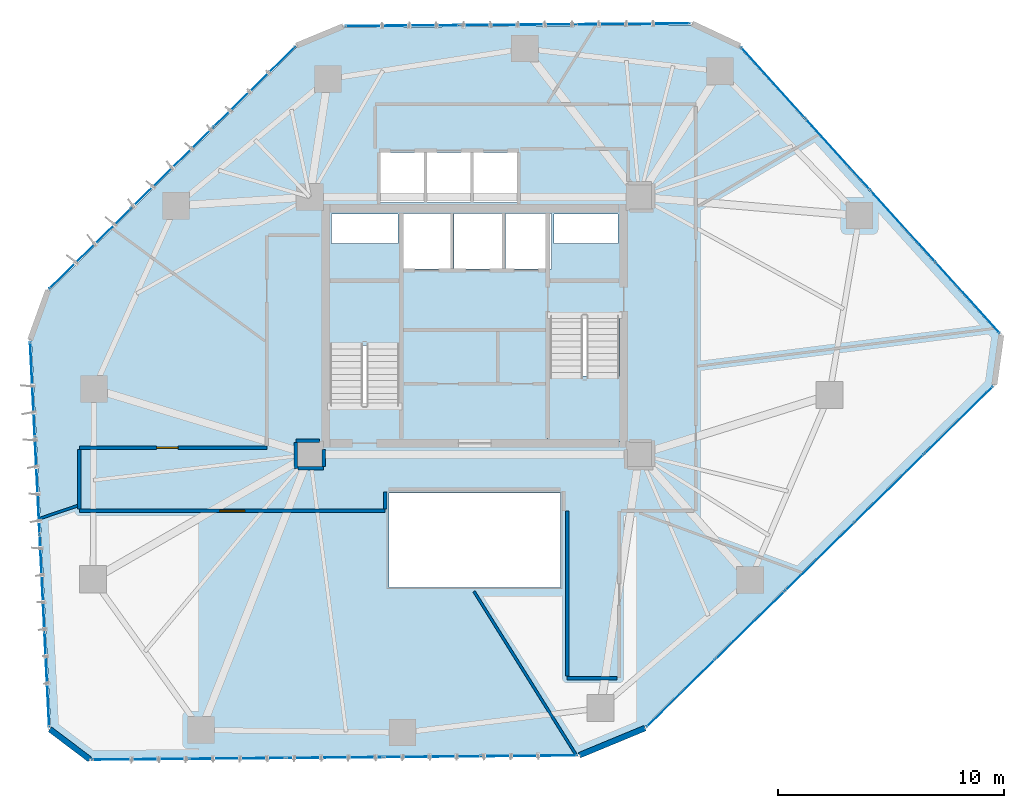
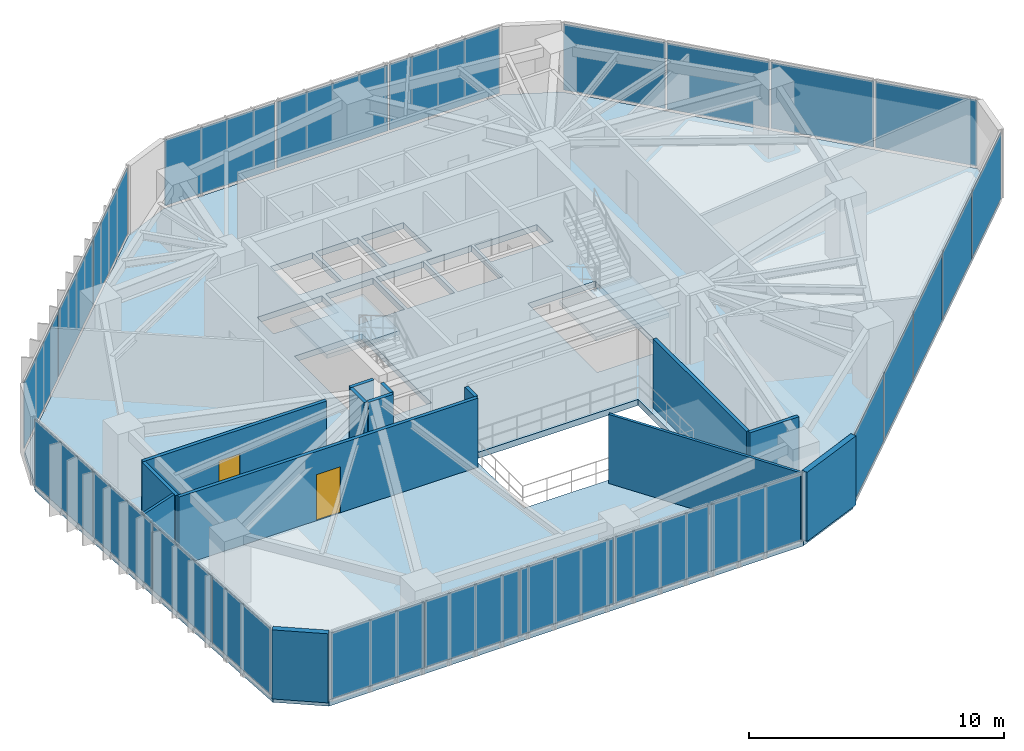
# One storey, part 17 of 21: 24 plates, 14 walls, 3 slabs, 2 doors, 2 openings, 8 elements without a shape of their own.
"""IFC4 building model written with IfcOpenShell, lengths in metres."""

import ifcopenshell
import ifcopenshell.guid

model = None  # the IFC model being written
_history = None  # IfcOwnerHistory: only IFC2X3 demands one
_inside = {}  # id of a spatial element -> (the spatial element, [elements in it])
_under = {}  # id of a project, library or spatial element -> (it, [spatial elements below it])
_declared = {}  # id of a project -> (the project, [libraries it declares])
_typed = {}  # id of a type object -> (the type object, [elements of that type])
_made_of = {}  # id of a material, layer set ... -> (it, [elements and type objects made of it])


def new_model(schema):
    """Start an empty IFC model of exactly this schema.

    Asked for "IFC4X3", IfcOpenShell would pick the latest addendum, in which some entities
    have other attributes; the version numbers below select the first issue.
    IFC2X3 requires an IfcOwnerHistory on every rooted entity: one is made here for all.
    """
    global model, _history
    if schema == "IFC4X3":
        model = ifcopenshell.file(schema_version=(4, 3, 0, 0))
    else:
        model = ifcopenshell.file(schema=schema)
    _inside.clear()
    _under.clear()
    _declared.clear()
    _typed.clear()
    _made_of.clear()
    _history = None
    if model.schema == "IFC2X3":
        org = make("IfcOrganization", Name="unknown")
        user = make(
            "IfcPersonAndOrganization",
            ThePerson=make("IfcPerson", FamilyName="unknown"),
            TheOrganization=org,
        )
        app = make(
            "IfcApplication",
            ApplicationDeveloper=org,
            Version="unknown",
            ApplicationFullName="unknown",
            ApplicationIdentifier="unknown",
        )
        _history = make(
            "IfcOwnerHistory",
            OwningUser=user,
            OwningApplication=app,
            ChangeAction="ADDED",
            CreationDate=0,
        )
    return model


def make(cls, **values):
    """One entity of the class cls with the attributes given. An attribute that is None is left unset."""
    return model.create_entity(
        cls, **{name: value for name, value in values.items() if value is not None}
    )


def rooted(cls, **values):
    """An entity with a GlobalId (a new one), such as an element, a storey or a relation."""
    return make(cls, GlobalId=ifcopenshell.guid.new(), OwnerHistory=_history, **values)


def si_unit(unit_type, name, prefix=None):
    """IfcSIUnit, for example si_unit("LENGTHUNIT", "METRE", prefix="MILLI")."""
    return make("IfcSIUnit", UnitType=unit_type, Prefix=prefix, Name=name)


def assignment(units):
    """IfcUnitAssignment: the units of a project."""
    return None if units is None else make("IfcUnitAssignment", Units=units)


def point(xyz):
    """IfcCartesianPoint."""
    return None if xyz is None else make("IfcCartesianPoint", Coordinates=xyz)


def direction(xyz):
    """IfcDirection."""
    return None if xyz is None else make("IfcDirection", DirectionRatios=xyz)


def frame(location, z_axis=None, x_axis=None):
    """IfcAxis2Placement3D, a coordinate frame: its origin and axes. An axis left out is left unset."""
    return make(
        "IfcAxis2Placement3D",
        Location=point(location),
        Axis=direction(z_axis),
        RefDirection=direction(x_axis),
    )


def frame_2d(location, x_axis=None):
    """IfcAxis2Placement2D, a coordinate frame in the plane: its origin and x axis."""
    return make(
        "IfcAxis2Placement2D", Location=point(location), RefDirection=direction(x_axis)
    )


def origin():
    """The frame at (0, 0, 0) with its axes left unset."""
    return frame((0.0, 0.0, 0.0))


def origin_2d():
    """The frame at (0, 0) in the plane with its x axis left unset."""
    return frame_2d((0.0, 0.0))


def place(relative_to, where):
    """IfcLocalPlacement: puts the frame where relative to a parent placement (None: the world)."""
    return make(
        "IfcLocalPlacement", PlacementRelTo=relative_to, RelativePlacement=where
    )


def context(
    kind, dimensions, precision=None, world=None, true_north=None, identifier=None
):
    """IfcGeometricRepresentationContext, for example the 3D "Model" context."""
    return make(
        "IfcGeometricRepresentationContext",
        ContextIdentifier=identifier,
        ContextType=kind,
        CoordinateSpaceDimension=dimensions,
        Precision=precision,
        WorldCoordinateSystem=world,
        TrueNorth=true_north,
    )


def subcontext(parent, identifier, kind, view, scale=None):
    """IfcGeometricRepresentationSubContext, for example "Body" below "Model"."""
    return make(
        "IfcGeometricRepresentationSubContext",
        ContextIdentifier=identifier,
        ContextType=kind,
        ParentContext=parent,
        TargetScale=scale,
        TargetView=view,
    )


def project(units=None, contexts=None):
    """IfcProject with its units and contexts."""
    return rooted(
        "IfcProject",
        Name="project",
        RepresentationContexts=contexts,
        UnitsInContext=assignment(units),
    )


def spatial(cls, under=None, at=None, **own):
    """A site, building, storey or space (cls), placed at a placement, below another one or the project."""
    s = rooted(cls, ObjectPlacement=at, **own)
    if under is not None:
        _under.setdefault(under.id(), (under, []))[1].append(s)
    return s


def polyline(points):
    """IfcPolyline through the points."""
    return make("IfcPolyline", Points=[point(p) for p in points])


def profile(cls, at=None, kind="AREA", **sizes):
    """A parametric profile (cls). Its sizes go by their IFC names, for example OverallWidth=200.0."""
    return make(cls, ProfileType=kind, Position=at, **sizes)


def rectangle(**sizes):
    """IfcRectangleProfileDef."""
    return profile("IfcRectangleProfileDef", **sizes)


def outline(outer, holes=None, kind="AREA"):
    """IfcArbitraryClosedProfileDef: a profile drawn as a closed curve; with holes, ...WithVoids."""
    if holes is None:
        return make("IfcArbitraryClosedProfileDef", ProfileType=kind, OuterCurve=outer)
    return make(
        "IfcArbitraryProfileDefWithVoids",
        ProfileType=kind,
        OuterCurve=outer,
        InnerCurves=holes,
    )


def extrude(swept, where, along, depth):
    """IfcExtrudedAreaSolid: the profile swept, set in the frame where, extruded along a direction by depth."""
    return make(
        "IfcExtrudedAreaSolid",
        SweptArea=swept,
        Position=where,
        ExtrudedDirection=direction(along),
        Depth=depth,
    )


def shape(context_of_items, identifier, shape_type, items):
    """IfcShapeRepresentation: the items that make up one representation, for example the "Body"."""
    return make(
        "IfcShapeRepresentation",
        ContextOfItems=context_of_items,
        RepresentationIdentifier=identifier,
        RepresentationType=shape_type,
        Items=items,
    )


def source(mapping_origin, context_of_items, identifier, shape_type, items):
    """IfcRepresentationMap: a shape defined once, which mapped items show again and again."""
    return make(
        "IfcRepresentationMap",
        MappingOrigin=mapping_origin,
        MappedRepresentation=shape(context_of_items, identifier, shape_type, items),
    )


def transform(
    local_origin,
    x_axis=None,
    y_axis=None,
    z_axis=None,
    scale=None,
    scale2=None,
    scale3=None,
    uniform=True,
):
    """IfcCartesianTransformationOperator3D, or its non-uniform kind. x_axis, y_axis, z_axis: its Axis1, 2, 3."""
    if uniform:
        return make(
            "IfcCartesianTransformationOperator3D",
            Axis1=direction(x_axis),
            Axis2=direction(y_axis),
            LocalOrigin=point(local_origin),
            Scale=scale,
            Axis3=direction(z_axis),
        )
    return make(
        "IfcCartesianTransformationOperator3DnonUniform",
        Axis1=direction(x_axis),
        Axis2=direction(y_axis),
        LocalOrigin=point(local_origin),
        Scale=scale,
        Axis3=direction(z_axis),
        Scale2=scale2,
        Scale3=scale3,
    )


def mapped(mapping_source, mapping_target):
    """IfcMappedItem: shows the shape of a source again, moved by a transform."""
    return make(
        "IfcMappedItem", MappingSource=mapping_source, MappingTarget=mapping_target
    )


def material(Name=None, Category=None):
    """IfcMaterial."""
    return make("IfcMaterial", Name=Name, Category=Category)


def layer(
    of_material, thickness, ventilated=None, Name=None, Category=None, Priority=None
):
    """IfcMaterialLayer: one layer of a wall or slab, of a material (None: an air gap)."""
    return make(
        "IfcMaterialLayer",
        Material=of_material,
        LayerThickness=thickness,
        IsVentilated=ventilated,
        Name=Name,
        Category=Category,
        Priority=Priority,
    )


def layer_set(layers, Name=None):
    """IfcMaterialLayerSet."""
    return make("IfcMaterialLayerSet", MaterialLayers=layers, LayerSetName=Name)


def made_of(thing, what):
    """Note that an element or type object is made of a material, layer set ...; save() writes the relation."""
    if what is not None:
        _made_of.setdefault(what.id(), (what, []))[1].append(thing)
    return thing


def type_object(cls, material=None, **own):
    """A type object (cls), such as IfcWallType, which elements share."""
    return made_of(rooted(cls, **own), material)


def type_shapes(of_type, sources):
    """Give a type object the sources (RepresentationMaps) that its elements show as mapped items."""
    of_type.RepresentationMaps = sources


def element(
    cls,
    number,
    at=None,
    inside=None,
    cuts=None,
    type_object=None,
    material=None,
    context=None,
    identifier="Body",
    shape_type=None,
    held_by="IfcProductDefinitionShape",
    body=None,
    shapes=None,
    **own,
):
    """One element of the class cls, such as IfcWall. Its Tag is "e" and its number.

    at: its placement. inside: the storey or other place that contains it. cuts: it is an
    opening in that element (IfcRelVoidsElement). A single representation is given by context,
    identifier, shape_type and body (its items); several are given by shapes. held_by: the class
    of the entity that holds the representations. save() writes the other relations.
    """
    e = rooted(cls, Tag="e%d" % number, ObjectPlacement=at, **own)
    if body is not None:
        shapes = [shape(context, identifier, shape_type, body)]
    if shapes is not None:
        e.Representation = make(held_by, Representations=shapes)
    if inside is not None:
        _inside.setdefault(inside.id(), (inside, []))[1].append(e)
    if cuts is not None:
        rooted(
            "IfcRelVoidsElement", RelatingBuildingElement=cuts, RelatedOpeningElement=e
        )
    if type_object is not None:
        _typed.setdefault(type_object.id(), (type_object, []))[1].append(e)
    return made_of(e, material)


def fill(opening, filler):
    """IfcRelFillsElement: the door or window that sits in an opening."""
    return rooted(
        "IfcRelFillsElement",
        RelatingOpeningElement=opening,
        RelatedBuildingElement=filler,
    )


def aggregate(whole, parts):
    """IfcRelAggregates: a whole, such as a stair, and the parts it consists of."""
    return rooted("IfcRelAggregates", RelatingObject=whole, RelatedObjects=parts)


def save(model, path):
    """Write the relations noted so far, then the file.

    IfcRelAggregates (storeys below a building ...), IfcRelContainedInSpatialStructure (elements
    in a storey), IfcRelDefinesByType, IfcRelAssociatesMaterial and IfcRelDeclares: one each for
    every whole, place, type object, material and project.
    """
    for whole, parts in _under.values():
        aggregate(whole, parts)
    for where, things in _inside.values():
        rooted(
            "IfcRelContainedInSpatialStructure",
            RelatedElements=things,
            RelatingStructure=where,
        )
    for kind, things in _typed.values():
        rooted("IfcRelDefinesByType", RelatedObjects=things, RelatingType=kind)
    for what, things in _made_of.values():
        rooted("IfcRelAssociatesMaterial", RelatedObjects=things, RelatingMaterial=what)
    for by, libraries in _declared.values():
        rooted("IfcRelDeclares", RelatingContext=by, RelatedDefinitions=libraries)
    model.write(path)


model = new_model("IFC4")

# Units and contexts
model_context = context("Model", 3, precision=1e-05, world=origin(), true_north=direction((0.0, 1.0)))
body_context = subcontext(model_context, "Body", "Model", "MODEL_VIEW")
ifc_project = project(units=[si_unit("LENGTHUNIT", "METRE"), si_unit("AREAUNIT", "SQUARE_METRE"), si_unit("VOLUMEUNIT", "CUBIC_METRE"), si_unit("PLANEANGLEUNIT", "RADIAN"), si_unit("MASSUNIT", "GRAM", prefix="KILO")], contexts=[model_context])

# Site, building, storey
site_placement = place(None, origin())
site = spatial("IfcSite", under=ifc_project, at=site_placement, CompositionType="ELEMENT")
building_placement = place(site_placement, origin())
building = spatial("IfcBuilding", under=site, at=building_placement, Name="Talar Marvaseh", CompositionType="ELEMENT")
storey_placement = place(building_placement, frame((0.0, 0.0, 93.0)))
storey = spatial("IfcBuildingStorey", under=building, at=storey_placement, Name="L23", CompositionType="ELEMENT", Elevation=93.0)

# Stair, slab
ifc_material_1 = material(Name="Concrete C40/50", Category="concrete")
stair_type = type_object("IfcStairType", Name="Reinforced Concrete Half-Turn Exit Stair Type B", PredefinedType="HALF_TURN_STAIR", material=ifc_material_1)
stair_1_placement = place(storey_placement, origin())
stair_1 = element("IfcStair", 1, at=stair_1_placement, inside=storey, type_object=stair_type, Name="L23 Tower West Core Exit Stair", PredefinedType="HALF_TURN_STAIR")
ifc_layer_1 = layer(ifc_material_1, 0.199951171875)
ifc_layer_set_1 = layer_set([ifc_layer_1], Name="Concrete C40/50")
slab_type_1 = type_object("IfcSlabType", Name="Reinforced Concrete Stair Half-Landing Slab 200", PredefinedType="LANDING", material=ifc_layer_set_1)
slab_1_placement = place(storey_placement, frame((0.0, 0.0, 1.60009765625)))
slab_1 = element("IfcSlab", 2, at=slab_1_placement, type_object=slab_type_1, Name="ST-1 landing 1", PredefinedType="LANDING", context=body_context, shape_type="SweptSolid", body=[
    extrude(outline(polyline([(22.780029296875, 30.330078125), (22.780029296875, 33.219970703125), (19.47998046875, 33.219970703125), (19.47998046875, 30.330078125), (22.780029296875, 30.330078125)])), origin(), (0.0, 0.0, 1.0), 0.199951171875),
])
aggregate(stair_1, [slab_1])

stair_2_placement = place(storey_placement, origin())
stair_2 = element("IfcStair", 3, at=stair_2_placement, inside=storey, type_object=stair_type, Name="L23 Tower East Core Exit Stair", PredefinedType="HALF_TURN_STAIR")
slab_2_placement = place(storey_placement, frame((0.0, 0.0, 1.60009765625)))
slab_2 = element("IfcSlab", 4, at=slab_2_placement, type_object=slab_type_1, Name="ST-2 landing 1", PredefinedType="LANDING", context=body_context, shape_type="SweptSolid", body=[
    extrude(outline(polyline([(29.219970703125, 28.969970703125), (29.219970703125, 26.080078125), (32.52001953125, 26.080078125), (32.52001953125, 28.969970703125), (29.219970703125, 28.969970703125)])), origin(), (0.0, 0.0, 1.0), 0.199951171875),
])
aggregate(stair_2, [slab_2])

# Slab
ifc_layer_2 = layer(ifc_material_1, 0.2900390625)
ifc_layer_set_2 = layer_set([ifc_layer_2], Name="Concrete C40/50")
slab_type_2 = type_object("IfcSlabType", Name="Structural Suspended Floor Slab 290", PredefinedType="FLOOR", material=ifc_layer_set_2)
slab_3_placement = place(storey_placement, frame((0.0, 0.0, -0.2900390625)))
element("IfcSlab", 5, at=slab_3_placement, inside=storey, type_object=slab_type_2, Name="L23 Tower Floor Slab", PredefinedType="FLOOR", context=body_context, shape_type="SweptSolid", body=[
    extrude(outline(polyline([(8.9990234375, 12.041748046875), (7.230712890625, 13.3779296875), (6.376953125, 30.54833984375), (7.172607421875, 32.749755859375), (18.136962890625, 43.5498046875), (20.211181640625, 44.408935546875), (35.600830078125, 44.525146484375), (37.719970703125, 43.53125), (49.2578125, 30.7861328125), (48.9521484375, 28.5908203125), (33.531005859375, 13.441162109375), (30.615966796875, 12.23388671875), (8.9990234375, 12.041748046875)]), holes=[polyline([(22.659912109375, 27.64990234375), (22.659912109375, 33.10009765625), (19.60009765625, 33.10009765625), (19.60009765625, 27.64990234375), (22.659912109375, 27.64990234375)]), polyline([(29.340087890625, 31.64990234375), (29.340087890625, 26.199951171875), (32.39990234375, 26.199951171875), (32.39990234375, 31.64990234375), (29.340087890625, 31.64990234375)]), polyline([(22.800048828125, 33.719970703125), (24.93994140625, 33.719970703125), (24.93994140625, 36.179931640625), (22.800048828125, 36.179931640625), (22.800048828125, 33.719970703125)]), polyline([(25.080078125, 33.719970703125), (27.219970703125, 33.719970703125), (27.219970703125, 36.179931640625), (25.080078125, 36.179931640625), (25.080078125, 33.719970703125)]), polyline([(27.360107421875, 33.719970703125), (29.39990234375, 33.719970703125), (29.39990234375, 36.179931640625), (27.360107421875, 36.179931640625), (27.360107421875, 33.719970703125)]), polyline([(21.840087890625, 36.659912109375), (23.760009765625, 36.659912109375), (23.760009765625, 38.8798828125), (21.840087890625, 38.8798828125), (21.840087890625, 36.659912109375)]), polyline([(23.89990234375, 36.659912109375), (25.820068359375, 36.659912109375), (25.820068359375, 38.8798828125), (23.89990234375, 38.8798828125), (23.89990234375, 36.659912109375)]), polyline([(25.9599609375, 36.659912109375), (27.8798828125, 36.659912109375), (27.8798828125, 38.8798828125), (25.9599609375, 38.8798828125), (25.9599609375, 36.659912109375)]), polyline([(19.659912109375, 34.840087890625), (22.60009765625, 34.840087890625), (22.60009765625, 36.139892578125), (19.659912109375, 36.139892578125), (19.659912109375, 34.840087890625)]), polyline([(29.52001953125, 34.840087890625), (32.340087890625, 34.840087890625), (32.340087890625, 36.139892578125), (29.52001953125, 36.139892578125), (29.52001953125, 34.840087890625)]), polyline([(22.199951171875, 19.60009765625), (29.800048828125, 19.60009765625), (29.800048828125, 23.800048828125), (22.199951171875, 23.800048828125), (22.199951171875, 19.60009765625)])]), origin(), (0.0, 0.0, 1.0), 0.2900390625),
])

# Curtain wall, plates
ifc_material_2 = material(Name="Architectural Aluminium", Category="aluminium")
ifc_layer_3 = layer(ifc_material_2, 0.199951171875)
ifc_layer_set_3 = layer_set([ifc_layer_3], Name="Architectural Aluminium")
curtain_wall_type = type_object("IfcCurtainWallType", Name="Unitised Acoustic Library Curtain Wall Z2", PredefinedType="NOTDEFINED", material=ifc_layer_set_3)
curtain_wall_1_placement = place(storey_placement, origin())
curtain_wall_1 = element("IfcCurtainWall", 6, at=curtain_wall_1_placement, inside=storey, type_object=curtain_wall_type, Name="L23 Unitised Acoustic Library Curtain Wall Z2", PredefinedType="NOTDEFINED")
ifc_material_3 = material(Name="Laminated Low-E Solar Glass", Category="glass")
ifc_layer_4 = layer(ifc_material_3, 0.028076171875)
ifc_layer_set_4 = layer_set([ifc_layer_4], Name="Laminated Low-E Solar Glass")
plate_type = type_object("IfcPlateType", Name="Double-Glazed Low-E Vision Curtain Panel 28", PredefinedType="CURTAIN_PANEL", material=ifc_layer_set_4)
shared_shape_1 = source(origin(), body_context, "Body", "SweptSolid", [
    extrude(rectangle(XDim=4.185302734375, YDim=0.028076171875, at=origin_2d()), origin(), (0.0, 0.0, 1.0), 3.159912109375),
])
plate_1_placement = place(storey_placement, frame((7.06298828125, 15.5400390625, 0.0751953125), z_axis=(0.0, 0.0, 1.0), x_axis=(-0.049657944832, 0.998766283229, 0.0)))
plate_1 = element("IfcPlate", 7, at=plate_1_placement, type_object=plate_type, Name="CW-Z2 panel 1.1", PredefinedType="CURTAIN_PANEL", context=body_context, shape_type="MappedRepresentation", body=[
    mapped(shared_shape_1, transform((0.0, 0.0, 0.0), x_axis=(1.0, 0.0, 0.0), y_axis=(0.0, 1.0, 0.0), z_axis=(0.0, 0.0, 1.0), scale=1.0)),
])
plate_2_placement = place(storey_placement, frame((6.424560546875, 28.38037109375, 0.0751953125), z_axis=(0.0, 0.0, 1.0), x_axis=(-0.049657944832, 0.998766283229, 0.0)))
plate_2 = element("IfcPlate", 8, at=plate_2_placement, type_object=plate_type, Name="CW-Z2 panel 4.1", PredefinedType="CURTAIN_PANEL", context=body_context, shape_type="MappedRepresentation", body=[
    mapped(shared_shape_1, transform((0.0, 0.0, 0.0), x_axis=(1.0, 0.0, 0.0), y_axis=(0.0, 1.0, 0.0), z_axis=(0.0, 0.0, 1.0), scale=1.0)),
])

curtain_wall_2_placement = place(storey_placement, origin())
curtain_wall_2 = element("IfcCurtainWall", 9, at=curtain_wall_2_placement, inside=storey, type_object=curtain_wall_type, Name="L23 Unitised Acoustic Library Curtain Wall Z2", PredefinedType="NOTDEFINED")
plate_3_placement = place(storey_placement, frame((39.21923828125, 41.96435546875, 0.0751953125), z_axis=(0.0, 0.0, 1.0), x_axis=(0.67112150454, -0.741347372116, 0.0)))
plate_3 = element("IfcPlate", 10, at=plate_3_placement, type_object=plate_type, Name="CW-Z2 panel 1.1", PredefinedType="CURTAIN_PANEL", context=body_context, shape_type="MappedRepresentation", body=[
    mapped(shared_shape_1, transform((0.0, 0.0, 0.0), x_axis=(1.0, 0.0, 0.0), y_axis=(0.0, 1.0, 0.0), z_axis=(0.0, 0.0, 1.0), scale=1.0)),
])
plate_4_placement = place(storey_placement, frame((47.847412109375, 32.43359375, 0.0751953125), z_axis=(0.0, 0.0, 1.0), x_axis=(0.67112150454, -0.741347372116, 0.0)))
plate_4 = element("IfcPlate", 11, at=plate_4_placement, type_object=plate_type, Name="CW-Z2 panel 4.1", PredefinedType="CURTAIN_PANEL", context=body_context, shape_type="MappedRepresentation", body=[
    mapped(shared_shape_1, transform((0.0, 0.0, 0.0), x_axis=(1.0, 0.0, 0.0), y_axis=(0.0, 1.0, 0.0), z_axis=(0.0, 0.0, 1.0), scale=1.0)),
])

# Plate
shared_shape_2 = source(origin(), body_context, "Body", "SweptSolid", [
    extrude(rectangle(XDim=4.222900390625, YDim=0.028076171875, at=origin_2d()), origin(), (0.0, 0.0, 1.0), 3.159912109375),
])
plate_5_placement = place(storey_placement, frame((6.8505859375, 19.81396484375, 0.0751953125), z_axis=(0.0, 0.0, 1.0), x_axis=(-0.049657944832, 0.998766283229, 0.0)))
plate_5 = element("IfcPlate", 12, at=plate_5_placement, type_object=plate_type, Name="CW-Z2 panel 2.1", PredefinedType="CURTAIN_PANEL", context=body_context, shape_type="MappedRepresentation", body=[
    mapped(shared_shape_2, transform((0.0, 0.0, 0.0), x_axis=(1.0, 0.0, 0.0), y_axis=(0.0, 1.0, 0.0), z_axis=(0.0, 0.0, 1.0), scale=1.0)),
])

plate_6_placement = place(storey_placement, frame((6.63720703125, 24.1064453125, 0.0751953125), z_axis=(0.0, 0.0, 1.0), x_axis=(-0.049657944832, 0.998766283229, 0.0)))
plate_6 = element("IfcPlate", 13, at=plate_6_placement, type_object=plate_type, Name="CW-Z2 panel 3.1", PredefinedType="CURTAIN_PANEL", context=body_context, shape_type="MappedRepresentation", body=[
    mapped(shared_shape_2, transform((0.0, 0.0, 0.0), x_axis=(1.0, 0.0, 0.0), y_axis=(0.0, 1.0, 0.0), z_axis=(0.0, 0.0, 1.0), scale=1.0)),
])

aggregate(curtain_wall_1, [plate_1, plate_5, plate_6, plate_2])

plate_7_placement = place(storey_placement, frame((42.091064453125, 38.792236328125, 0.0751953125), z_axis=(0.0, 0.0, 1.0), x_axis=(0.67112150454, -0.741347372116, 0.0)))
plate_7 = element("IfcPlate", 14, at=plate_7_placement, type_object=plate_type, Name="CW-Z2 panel 2.1", PredefinedType="CURTAIN_PANEL", context=body_context, shape_type="MappedRepresentation", body=[
    mapped(shared_shape_2, transform((0.0, 0.0, 0.0), x_axis=(1.0, 0.0, 0.0), y_axis=(0.0, 1.0, 0.0), z_axis=(0.0, 0.0, 1.0), scale=1.0)),
])

plate_8_placement = place(storey_placement, frame((44.9755859375, 35.60595703125, 0.0751953125), z_axis=(0.0, 0.0, 1.0), x_axis=(0.67112150454, -0.741347372116, 0.0)))
plate_8 = element("IfcPlate", 15, at=plate_8_placement, type_object=plate_type, Name="CW-Z2 panel 3.1", PredefinedType="CURTAIN_PANEL", context=body_context, shape_type="MappedRepresentation", body=[
    mapped(shared_shape_2, transform((0.0, 0.0, 0.0), x_axis=(1.0, 0.0, 0.0), y_axis=(0.0, 1.0, 0.0), z_axis=(0.0, 0.0, 1.0), scale=1.0)),
])

aggregate(curtain_wall_2, [plate_3, plate_7, plate_8, plate_4])

# Curtain wall, plates
curtain_wall_3_placement = place(storey_placement, origin())
curtain_wall_3 = element("IfcCurtainWall", 16, at=curtain_wall_3_placement, inside=storey, type_object=curtain_wall_type, Name="L23 Unitised Acoustic Library Curtain Wall Z2", PredefinedType="NOTDEFINED")
shared_shape_3 = source(origin(), body_context, "Body", "SweptSolid", [
    extrude(rectangle(XDim=5.017578125, YDim=0.028076171875, at=origin_2d()), origin(), (0.0, 0.0, 1.0), 3.159912109375),
])
plate_9_placement = place(storey_placement, frame((8.971435546875, 34.605712890625, 0.0751953125), z_axis=(0.0, 0.0, 1.0), x_axis=(0.71241802456, 0.701755340758, 0.0)))
plate_9 = element("IfcPlate", 17, at=plate_9_placement, type_object=plate_type, Name="CW-Z2 panel 1.1", PredefinedType="CURTAIN_PANEL", context=body_context, shape_type="MappedRepresentation", body=[
    mapped(shared_shape_3, transform((0.0, 0.0, 0.0), x_axis=(1.0, 0.0, 0.0), y_axis=(0.0, 1.0, 0.0), z_axis=(0.0, 0.0, 1.0), scale=1.0)),
])
plate_10_placement = place(storey_placement, frame((16.254150390625, 41.779541015625, 0.0751953125), z_axis=(0.0, 0.0, 1.0), x_axis=(0.71241802456, 0.701755340758, 0.0)))
plate_10 = element("IfcPlate", 18, at=plate_10_placement, type_object=plate_type, Name="CW-Z2 panel 3.1", PredefinedType="CURTAIN_PANEL", context=body_context, shape_type="MappedRepresentation", body=[
    mapped(shared_shape_3, transform((0.0, 0.0, 0.0), x_axis=(1.0, 0.0, 0.0), y_axis=(0.0, 1.0, 0.0), z_axis=(0.0, 0.0, 1.0), scale=1.0)),
])

curtain_wall_4_placement = place(storey_placement, origin())
curtain_wall_4 = element("IfcCurtainWall", 19, at=curtain_wall_4_placement, inside=storey, type_object=curtain_wall_type, Name="L23 Unitised Acoustic Library Curtain Wall Z2", PredefinedType="NOTDEFINED")
plate_11_placement = place(storey_placement, frame((22.794189453125, 44.488525390625, 0.0751953125), z_axis=(0.0, 0.0, 1.0), x_axis=(0.999971545196, 0.007543792038, 0.0)))
plate_11 = element("IfcPlate", 20, at=plate_11_placement, type_object=plate_type, Name="CW-Z2 panel 1.1", PredefinedType="CURTAIN_PANEL", context=body_context, shape_type="MappedRepresentation", body=[
    mapped(shared_shape_3, transform((0.0, 0.0, 0.0), x_axis=(1.0, 0.0, 0.0), y_axis=(0.0, 1.0, 0.0), z_axis=(0.0, 0.0, 1.0), scale=1.0)),
])
plate_12_placement = place(storey_placement, frame((33.0166015625, 44.565673828125, 0.0751953125), z_axis=(0.0, 0.0, 1.0), x_axis=(0.999971545196, 0.007543792038, 0.0)))
plate_12 = element("IfcPlate", 21, at=plate_12_placement, type_object=plate_type, Name="CW-Z2 panel 3.1", PredefinedType="CURTAIN_PANEL", context=body_context, shape_type="MappedRepresentation", body=[
    mapped(shared_shape_3, transform((0.0, 0.0, 0.0), x_axis=(1.0, 0.0, 0.0), y_axis=(0.0, 1.0, 0.0), z_axis=(0.0, 0.0, 1.0), scale=1.0)),
])

# Plate
shared_shape_4 = source(origin(), body_context, "Body", "SweptSolid", [
    extrude(rectangle(XDim=5.054931640625, YDim=0.028076171875, at=origin_2d()), origin(), (0.0, 0.0, 1.0), 3.159912109375),
])
plate_13_placement = place(storey_placement, frame((12.61279296875, 38.192626953125, 0.0751953125), z_axis=(0.0, 0.0, 1.0), x_axis=(0.71241802456, 0.701755340758, 0.0)))
plate_13 = element("IfcPlate", 22, at=plate_13_placement, type_object=plate_type, Name="CW-Z2 panel 2.1", PredefinedType="CURTAIN_PANEL", context=body_context, shape_type="MappedRepresentation", body=[
    mapped(shared_shape_4, transform((0.0, 0.0, 0.0), x_axis=(1.0, 0.0, 0.0), y_axis=(0.0, 1.0, 0.0), z_axis=(0.0, 0.0, 1.0), scale=1.0)),
])

aggregate(curtain_wall_3, [plate_9, plate_13, plate_10])

plate_14_placement = place(storey_placement, frame((27.905517578125, 44.527099609375, 0.0751953125), z_axis=(0.0, 0.0, 1.0), x_axis=(0.999971545196, 0.007543792038, 0.0)))
plate_14 = element("IfcPlate", 23, at=plate_14_placement, type_object=plate_type, Name="CW-Z2 panel 2.1", PredefinedType="CURTAIN_PANEL", context=body_context, shape_type="MappedRepresentation", body=[
    mapped(shared_shape_4, transform((0.0, 0.0, 0.0), x_axis=(1.0, 0.0, 0.0), y_axis=(0.0, 1.0, 0.0), z_axis=(0.0, 0.0, 1.0), scale=1.0)),
])

aggregate(curtain_wall_4, [plate_11, plate_14, plate_12])

# Curtain wall, plates
curtain_wall_5_placement = place(storey_placement, origin())
curtain_wall_5 = element("IfcCurtainWall", 24, at=curtain_wall_5_placement, inside=storey, type_object=curtain_wall_type, Name="L23 Unitised Acoustic Library Curtain Wall Z2", PredefinedType="NOTDEFINED")
shared_shape_5 = source(origin(), body_context, "Body", "SweptSolid", [
    extrude(rectangle(XDim=4.2109375, YDim=0.028076171875, at=origin_2d()), origin(), (0.0, 0.0, 1.0), 3.159912109375),
])
plate_15_placement = place(storey_placement, frame((47.438720703125, 27.02001953125, 0.0751953125), z_axis=(0.0, 0.0, 1.0), x_axis=(-0.713360773825, -0.700796979423, 0.0)))
plate_15 = element("IfcPlate", 25, at=plate_15_placement, type_object=plate_type, Name="CW-Z2 panel 1.1", PredefinedType="CURTAIN_PANEL", context=body_context, shape_type="MappedRepresentation", body=[
    mapped(shared_shape_5, transform((0.0, 0.0, 0.0), x_axis=(1.0, 0.0, 0.0), y_axis=(0.0, 1.0, 0.0), z_axis=(0.0, 0.0, 1.0), scale=1.0)),
])
plate_16_placement = place(storey_placement, frame((35.12841796875, 14.926513671875, 0.0751953125), z_axis=(0.0, 0.0, 1.0), x_axis=(-0.713360773825, -0.700796979423, 0.0)))
plate_16 = element("IfcPlate", 26, at=plate_16_placement, type_object=plate_type, Name="CW-Z2 panel 5.1", PredefinedType="CURTAIN_PANEL", context=body_context, shape_type="MappedRepresentation", body=[
    mapped(shared_shape_5, transform((0.0, 0.0, 0.0), x_axis=(1.0, 0.0, 0.0), y_axis=(0.0, 1.0, 0.0), z_axis=(0.0, 0.0, 1.0), scale=1.0)),
])

curtain_wall_6_placement = place(storey_placement, origin())
curtain_wall_6 = element("IfcCurtainWall", 27, at=curtain_wall_6_placement, inside=storey, type_object=curtain_wall_type, Name="L23 Unitised Acoustic Library Curtain Wall Z2", PredefinedType="NOTDEFINED")
plate_17_placement = place(storey_placement, frame((28.43603515625, 12.154541015625, 0.0751953125), z_axis=(0.0, 0.0, 1.0), x_axis=(-0.999960557543, -0.008881630353, 0.0)))
plate_17 = element("IfcPlate", 28, at=plate_17_placement, type_object=plate_type, Name="CW-Z2 panel 1.1", PredefinedType="CURTAIN_PANEL", context=body_context, shape_type="MappedRepresentation", body=[
    mapped(shared_shape_5, transform((0.0, 0.0, 0.0), x_axis=(1.0, 0.0, 0.0), y_axis=(0.0, 1.0, 0.0), z_axis=(0.0, 0.0, 1.0), scale=1.0)),
])
plate_18_placement = place(storey_placement, frame((11.179931640625, 12.001220703125, 0.0751953125), z_axis=(0.0, 0.0, 1.0), x_axis=(-0.999960557543, -0.008881630353, 0.0)))
plate_18 = element("IfcPlate", 29, at=plate_18_placement, type_object=plate_type, Name="CW-Z2 panel 5.1", PredefinedType="CURTAIN_PANEL", context=body_context, shape_type="MappedRepresentation", body=[
    mapped(shared_shape_5, transform((0.0, 0.0, 0.0), x_axis=(1.0, 0.0, 0.0), y_axis=(0.0, 1.0, 0.0), z_axis=(0.0, 0.0, 1.0), scale=1.0)),
])

# Plate
shared_shape_6 = source(origin(), body_context, "Body", "SweptSolid", [
    extrude(rectangle(XDim=4.24853515625, YDim=0.028076171875, at=origin_2d()), origin(), (0.0, 0.0, 1.0), 3.159912109375),
])
type_shapes(plate_type, [shared_shape_1, shared_shape_2, shared_shape_3, shared_shape_4, shared_shape_5, shared_shape_6])
plate_19_placement = place(storey_placement, frame((44.36767578125, 24.003173828125, 0.0751953125), z_axis=(0.0, 0.0, 1.0), x_axis=(-0.713360773825, -0.700796979423, 0.0)))
plate_19 = element("IfcPlate", 30, at=plate_19_placement, type_object=plate_type, Name="CW-Z2 panel 2.1", PredefinedType="CURTAIN_PANEL", context=body_context, shape_type="MappedRepresentation", body=[
    mapped(shared_shape_6, transform((0.0, 0.0, 0.0), x_axis=(1.0, 0.0, 0.0), y_axis=(0.0, 1.0, 0.0), z_axis=(0.0, 0.0, 1.0), scale=1.0)),
])

plate_20_placement = place(storey_placement, frame((41.283447265625, 20.97314453125, 0.0751953125), z_axis=(0.0, 0.0, 1.0), x_axis=(-0.713360773825, -0.700796979423, 0.0)))
plate_20 = element("IfcPlate", 31, at=plate_20_placement, type_object=plate_type, Name="CW-Z2 panel 3.1", PredefinedType="CURTAIN_PANEL", context=body_context, shape_type="MappedRepresentation", body=[
    mapped(shared_shape_6, transform((0.0, 0.0, 0.0), x_axis=(1.0, 0.0, 0.0), y_axis=(0.0, 1.0, 0.0), z_axis=(0.0, 0.0, 1.0), scale=1.0)),
])

plate_21_placement = place(storey_placement, frame((38.19921875, 17.943359375, 0.0751953125), z_axis=(0.0, 0.0, 1.0), x_axis=(-0.713360773825, -0.700796979423, 0.0)))
plate_21 = element("IfcPlate", 32, at=plate_21_placement, type_object=plate_type, Name="CW-Z2 panel 4.1", PredefinedType="CURTAIN_PANEL", context=body_context, shape_type="MappedRepresentation", body=[
    mapped(shared_shape_6, transform((0.0, 0.0, 0.0), x_axis=(1.0, 0.0, 0.0), y_axis=(0.0, 1.0, 0.0), z_axis=(0.0, 0.0, 1.0), scale=1.0)),
])

aggregate(curtain_wall_5, [plate_15, plate_19, plate_20, plate_21, plate_16])

plate_22_placement = place(storey_placement, frame((24.13134765625, 12.1162109375, 0.0751953125), z_axis=(0.0, 0.0, 1.0), x_axis=(-0.999960557543, -0.008881630353, 0.0)))
plate_22 = element("IfcPlate", 33, at=plate_22_placement, type_object=plate_type, Name="CW-Z2 panel 2.1", PredefinedType="CURTAIN_PANEL", context=body_context, shape_type="MappedRepresentation", body=[
    mapped(shared_shape_6, transform((0.0, 0.0, 0.0), x_axis=(1.0, 0.0, 0.0), y_axis=(0.0, 1.0, 0.0), z_axis=(0.0, 0.0, 1.0), scale=1.0)),
])

plate_23_placement = place(storey_placement, frame((19.80810546875, 12.077880859375, 0.0751953125), z_axis=(0.0, 0.0, 1.0), x_axis=(-0.999960557543, -0.008881630353, 0.0)))
plate_23 = element("IfcPlate", 34, at=plate_23_placement, type_object=plate_type, Name="CW-Z2 panel 3.1", PredefinedType="CURTAIN_PANEL", context=body_context, shape_type="MappedRepresentation", body=[
    mapped(shared_shape_6, transform((0.0, 0.0, 0.0), x_axis=(1.0, 0.0, 0.0), y_axis=(0.0, 1.0, 0.0), z_axis=(0.0, 0.0, 1.0), scale=1.0)),
])

plate_24_placement = place(storey_placement, frame((15.484619140625, 12.039306640625, 0.0751953125), z_axis=(0.0, 0.0, 1.0), x_axis=(-0.999960557543, -0.008881630353, 0.0)))
plate_24 = element("IfcPlate", 35, at=plate_24_placement, type_object=plate_type, Name="CW-Z2 panel 4.1", PredefinedType="CURTAIN_PANEL", context=body_context, shape_type="MappedRepresentation", body=[
    mapped(shared_shape_6, transform((0.0, 0.0, 0.0), x_axis=(1.0, 0.0, 0.0), y_axis=(0.0, 1.0, 0.0), z_axis=(0.0, 0.0, 1.0), scale=1.0)),
])

aggregate(curtain_wall_6, [plate_17, plate_22, plate_23, plate_24, plate_18])

# Walls
ifc_material_4 = material(Name="Precast concrete C45/55", Category="concrete")
ifc_layer_5 = layer(ifc_material_4, 0.2548828125)
ifc_layer_set_5 = layer_set([ifc_layer_5], Name="Precast concrete C45/55")
wall_type_1 = type_object("IfcWallType", Name="Chamfered Hexagonal Corner Pier Wall Z2 255", PredefinedType="SOLIDWALL", material=ifc_layer_set_5)
wall_1_placement = place(storey_placement, frame((8.962890625, 11.993896484375, 0.0), z_axis=(0.0, 0.0, 1.0), x_axis=(-0.797880273662, 0.602815949441, 0.0)))
element("IfcWall", 36, at=wall_1_placement, inside=storey, type_object=wall_type_1, Name="L23 Chamfered Corner Limestone Pier 1", PredefinedType="SOLIDWALL", context=body_context, shape_type="SweptSolid", body=[
    extrude(rectangle(XDim=2.216552734375, YDim=0.2548828125, at=frame_2d((1.1083984375, 0.0))), origin(), (0.0, 0.0, 1.0), 3.31005859375),
])
wall_2_placement = place(storey_placement, frame((33.553955078125, 13.3857421875, 0.0), z_axis=(0.0, 0.0, 1.0), x_axis=(-0.923898953305, -0.382636543056, 0.0)))
element("IfcWall", 37, at=wall_2_placement, inside=storey, type_object=wall_type_1, Name="L23 Chamfered Corner Limestone Pier 6", PredefinedType="SOLIDWALL", context=body_context, shape_type="SweptSolid", body=[
    extrude(rectangle(XDim=3.155029296875, YDim=0.2548828125, at=frame_2d((1.57763671875, 0.0))), origin(), (0.0, 0.0, 1.0), 3.31005859375),
])

# Wall, opening, door
ifc_material_5 = material(Name="Gypsum Board Partition Assembly")
ifc_layer_6 = layer(ifc_material_5, 0.155029296875)
ifc_layer_set_6 = layer_set([ifc_layer_6], Name="Gypsum Board Partition Assembly")
wall_type_2 = type_object("IfcWallType", Name="Corridor Fire-Rated Acoustic Partition 155", PredefinedType="PARTITIONING", material=ifc_layer_set_6)
wall_3_placement = place(storey_placement, frame((22.0400390625, 23.0, 0.0), z_axis=(0.0, 0.0, 1.0), x_axis=(-1.0, 0.0, 0.0)))
wall_3 = element("IfcWall", 38, at=wall_3_placement, inside=storey, type_object=wall_type_2, Name="L23 Interior Partition Wall", PredefinedType="PARTITIONING", context=body_context, shape_type="SweptSolid", body=[
    extrude(rectangle(XDim=13.5400390625, YDim=0.155029296875, at=frame_2d((6.77001953125, 0.0))), origin(), (0.0, 0.0, 1.0), 3.31005859375),
])
opening_1_placement = place(wall_3_placement, frame((6.219970703125, 0.0, 0.0)))
opening_1 = element("IfcOpeningElement", 39, at=opening_1_placement, cuts=wall_3, Name="Opening DR-RM110", PredefinedType="OPENING", context=body_context, shape_type="SweptSolid", body=[
    extrude(rectangle(XDim=1.10009765625, YDim=2.199951171875, at=frame_2d((0.550048828125, 1.10009765625))), frame((0.0, 0.08740234375, 0.0), z_axis=(0.0, -1.0, 0.0), x_axis=(1.0, 0.0, 0.0)), (0.0, 0.0, 1.0), 0.175048828125),
])
ifc_material_6 = material(Name="Acoustic Engineered Oak Timber", Category="wood")
door_type_1 = type_object("IfcDoorType", Name="Assembly and Reading Hall Door 1100x2200", OperationType="NOTDEFINED", PredefinedType="DOOR", material=ifc_material_6)
shared_shape_7 = source(origin(), body_context, "Body", "SweptSolid", [
    extrude(rectangle(XDim=1.10009765625, YDim=2.199951171875, at=frame_2d((0.550048828125, 1.10009765625))), frame((0.0, 0.02490234375, 0.0), z_axis=(0.0, -1.0, 0.0), x_axis=(1.0, 0.0, 0.0)), (0.0, 0.0, 1.0), 0.050048828125),
])
type_shapes(door_type_1, [shared_shape_7])
door_1_placement = place(opening_1_placement, origin())
door_1 = element("IfcDoor", 40, at=door_1_placement, inside=storey, type_object=door_type_1, Name="L23 Exhibition Gallery Door", OperationType="SINGLE_SWING_RIGHT", OverallHeight=2.199951171875, OverallWidth=1.10009765625, PredefinedType="DOOR", context=body_context, shape_type="MappedRepresentation", body=[
    mapped(shared_shape_7, transform((0.0, 0.0, 0.0), x_axis=(1.0, 0.0, 0.0), y_axis=(0.0, 1.0, 0.0), z_axis=(0.0, 0.0, 1.0), scale=1.0)),
])
fill(opening_1, door_1)

wall_4_placement = place(storey_placement, frame((8.5, 25.800048828125, 0.0), z_axis=(0.0, 0.0, 1.0), x_axis=(1.0, 0.0, 0.0)))
wall_4 = element("IfcWall", 41, at=wall_4_placement, inside=storey, type_object=wall_type_2, Name="L23 Interior Partition Wall", PredefinedType="PARTITIONING", context=body_context, shape_type="SweptSolid", body=[
    extrude(rectangle(XDim=8.300048828125, YDim=0.155029296875, at=frame_2d((4.14990234375, 0.0))), origin(), (0.0, 0.0, 1.0), 3.31005859375),
])
opening_2_placement = place(wall_4_placement, frame((3.42138671875, 0.0, 0.0)))
opening_2 = element("IfcOpeningElement", 42, at=opening_2_placement, cuts=wall_4, Name="Opening DR-WC095", PredefinedType="OPENING", context=body_context, shape_type="SweptSolid", body=[
    extrude(rectangle(XDim=0.949951171875, YDim=2.14990234375, at=frame_2d((0.47509765625, 1.074951171875))), frame((0.0, 0.08740234375, 0.0), z_axis=(0.0, -1.0, 0.0), x_axis=(1.0, 0.0, 0.0)), (0.0, 0.0, 1.0), 0.175048828125),
])
door_type_2 = type_object("IfcDoorType", Name="Washroom and Service Room Door 950x2150", OperationType="NOTDEFINED", PredefinedType="DOOR", material=ifc_material_6)
shared_shape_8 = source(origin(), body_context, "Body", "SweptSolid", [
    extrude(rectangle(XDim=0.949951171875, YDim=2.14990234375, at=frame_2d((0.47509765625, 1.074951171875))), frame((0.0, 0.02490234375, 0.0), z_axis=(0.0, -1.0, 0.0), x_axis=(1.0, 0.0, 0.0)), (0.0, 0.0, 1.0), 0.050048828125),
])
type_shapes(door_type_2, [shared_shape_8])
door_2_placement = place(opening_2_placement, origin())
door_2 = element("IfcDoor", 43, at=door_2_placement, inside=storey, type_object=door_type_2, Name="L23 Fellows' Coffee Pantry Door", OperationType="SINGLE_SWING_LEFT", OverallHeight=2.14990234375, OverallWidth=0.949951171875, PredefinedType="DOOR", context=body_context, shape_type="MappedRepresentation", body=[
    mapped(shared_shape_8, transform((0.0, 0.0, 0.0), x_axis=(1.0, 0.0, 0.0), y_axis=(0.0, 1.0, 0.0), z_axis=(0.0, 0.0, 1.0), scale=1.0)),
])
fill(opening_2, door_2)

# Walls
wall_5_placement = place(storey_placement, frame((22.043212890625, 23.831298828125, 0.0), z_axis=(0.0, 0.0, 1.0), x_axis=(-0.003917697652, -0.999992325793, 0.0)))
element("IfcWall", 44, at=wall_5_placement, inside=storey, type_object=wall_type_2, Name="L23 Interior Partition Wall", PredefinedType="PARTITIONING", context=body_context, shape_type="SweptSolid", body=[
    extrude(rectangle(XDim=0.747802734375, YDim=0.155029296875, at=frame_2d((0.3740234375, 0.0))), origin(), (0.0, 0.0, 1.0), 3.31005859375),
])
wall_6_placement = place(storey_placement, frame((8.5, 23.08349609375, 0.0), z_axis=(0.0, 0.0, 1.0), x_axis=(0.0, 1.0, 0.0)))
element("IfcWall", 45, at=wall_6_placement, inside=storey, type_object=wall_type_2, Name="L23 Interior Partition Wall", PredefinedType="PARTITIONING", context=body_context, shape_type="SweptSolid", body=[
    extrude(rectangle(XDim=2.633056640625, YDim=0.155029296875, at=frame_2d((1.31640625, 0.0))), origin(), (0.0, 0.0, 1.0), 3.31005859375),
])
wall_7_placement = place(storey_placement, frame((19.1298828125, 26.114990234375, 0.0), z_axis=(0.0, 0.0, 1.0), x_axis=(-0.999986702653, -0.005156987215, 0.0)))
element("IfcWall", 46, at=wall_7_placement, inside=storey, type_object=wall_type_2, Name="L23 Interior Partition Wall", PredefinedType="PARTITIONING", context=body_context, shape_type="SweptSolid", body=[
    extrude(rectangle(XDim=1.04150390625, YDim=0.155029296875, at=frame_2d((0.520751953125, 0.0))), origin(), (0.0, 0.0, 1.0), 3.31005859375),
])
wall_8_placement = place(storey_placement, frame((18.088623046875, 26.02587890625, 0.0), z_axis=(0.0, 0.0, 1.0), x_axis=(0.002787893948, -0.999996113816, 0.0)))
element("IfcWall", 47, at=wall_8_placement, inside=storey, type_object=wall_type_2, Name="L23 Interior Partition Wall", PredefinedType="PARTITIONING", context=body_context, shape_type="SweptSolid", body=[
    extrude(rectangle(XDim=1.138427734375, YDim=0.155029296875, at=frame_2d((0.5693359375, 0.0))), origin(), (0.0, 0.0, 1.0), 3.31005859375),
])
wall_9_placement = place(storey_placement, frame((18.17529296875, 24.8876953125, 0.0), z_axis=(0.0, 0.0, 1.0), x_axis=(0.999999791525, 0.000645716611, 0.0)))
element("IfcWall", 48, at=wall_9_placement, inside=storey, type_object=wall_type_2, Name="L23 Interior Partition Wall", PredefinedType="PARTITIONING", context=body_context, shape_type="SweptSolid", body=[
    extrude(rectangle(XDim=1.13427734375, YDim=0.155029296875, at=frame_2d((0.567138671875, 0.0))), origin(), (0.0, 0.0, 1.0), 3.31005859375),
])
wall_10_placement = place(storey_placement, frame((19.31005859375, 24.971923828125, 0.0), z_axis=(0.0, 0.0, 1.0), x_axis=(0.006441090216, 0.999979255963, 0.0)))
element("IfcWall", 49, at=wall_10_placement, inside=storey, type_object=wall_type_2, Name="L23 Interior Partition Wall", PredefinedType="PARTITIONING", context=body_context, shape_type="SweptSolid", body=[
    extrude(rectangle(XDim=0.758056640625, YDim=0.155029296875, at=frame_2d((0.37890625, 0.0))), origin(), (0.0, 0.0, 1.0), 3.31005859375),
])
wall_11_placement = place(storey_placement, frame((32.31640625, 15.60009765625, 0.0), z_axis=(0.0, 0.0, 1.0), x_axis=(-1.0, 0.0, 0.0)))
element("IfcWall", 50, at=wall_11_placement, inside=storey, type_object=wall_type_2, Name="L23 Interior Partition Wall", PredefinedType="PARTITIONING", context=body_context, shape_type="SweptSolid", body=[
    extrude(rectangle(XDim=2.21630859375, YDim=0.155029296875, at=frame_2d((1.108154296875, 0.0))), origin(), (0.0, 0.0, 1.0), 3.31005859375),
])
wall_12_placement = place(storey_placement, frame((30.10009765625, 15.68359375, 0.0), z_axis=(0.0, 0.0, 1.0), x_axis=(0.0, 1.0, 0.0)))
element("IfcWall", 51, at=wall_12_placement, inside=storey, type_object=wall_type_2, Name="L23 Interior Partition Wall", PredefinedType="PARTITIONING", context=body_context, shape_type="SweptSolid", body=[
    extrude(rectangle(XDim=7.31640625, YDim=0.155029296875, at=frame_2d((3.658203125, 0.0))), origin(), (0.0, 0.0, 1.0), 3.31005859375),
])
ifc_layer_7 = layer(ifc_material_5, 0.1201171875)
ifc_layer_set_7 = layer_set([ifc_layer_7], Name="Gypsum Board Partition Assembly")
wall_type_3 = type_object("IfcWallType", Name="Demountable Studio Room Partition 120", PredefinedType="PARTITIONING", material=ifc_layer_set_7)
wall_13_placement = place(storey_placement, frame((25.969970703125, 19.43994140625, 0.0), z_axis=(0.0, 0.0, 1.0), x_axis=(0.529983574984, -0.848007906949, 0.0)))
element("IfcWall", 52, at=wall_13_placement, inside=storey, type_object=wall_type_3, Name="L23 Interior Partition Wall", PredefinedType="PARTITIONING", context=body_context, shape_type="SweptSolid", body=[
    extrude(rectangle(XDim=8.569580078125, YDim=0.1201171875, at=frame_2d((4.28466796875, 0.0))), origin(), (0.0, 0.0, 1.0), 3.31005859375),
])
wall_14_placement = place(storey_placement, frame((6.733154296875, 22.659912109375, 0.0), z_axis=(0.0, 0.0, 1.0), x_axis=(0.946868964261, 0.321619595982, 0.0)))
element("IfcWall", 53, at=wall_14_placement, inside=storey, type_object=wall_type_3, Name="L23 Interior Partition Wall", PredefinedType="PARTITIONING", context=body_context, shape_type="SweptSolid", body=[
    extrude(rectangle(XDim=1.77783203125, YDim=0.1201171875, at=frame_2d((0.888916015625, 0.0))), origin(), (0.0, 0.0, 1.0), 3.31005859375),
])

save(model, "model.ifc")
